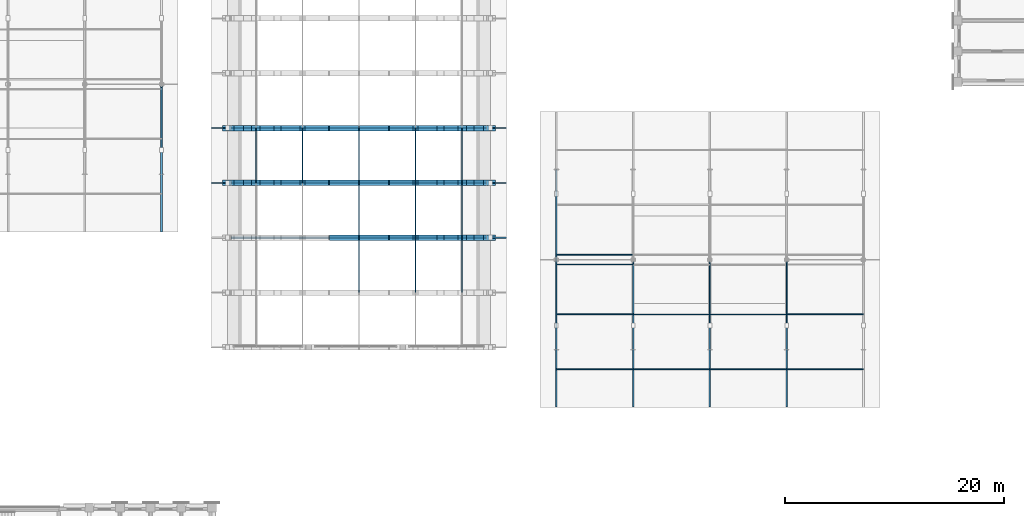
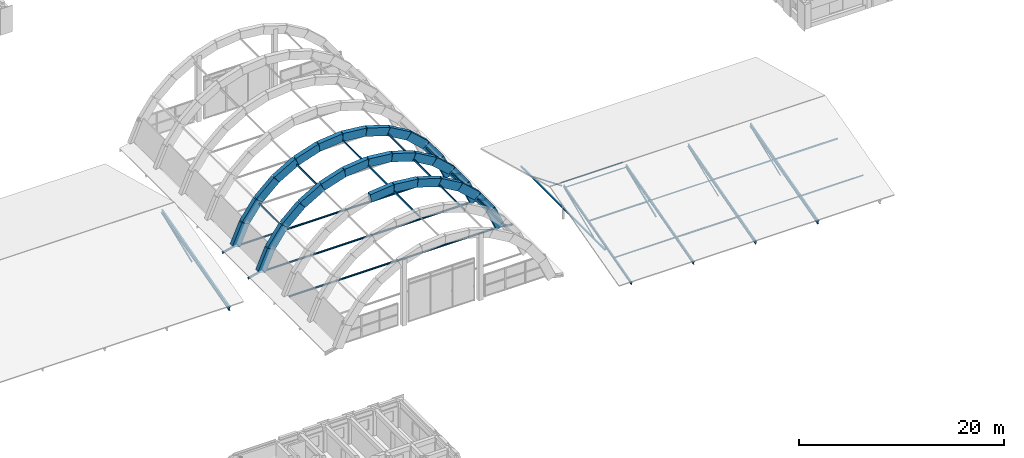
# One storey, part 15 of 76: 41 beams, 31 members.
"""IFC4 building model written with IfcOpenShell, lengths in metres."""

from ifc_helpers import new_model, si_unit, direction, frame, origin, origin_2d, place, context, subcontext, project, spatial, rectangle, hollow_rectangle, hollow_circle, i_section, extrude, material, material_profile, profile_set, type_object, element, save


model = new_model("IFC4")

# Units and contexts
model_context = context("Model", 3, precision=1e-05, world=origin(), true_north=direction((0.0, 1.0)))
body_context = subcontext(model_context, "Body", "Model", "MODEL_VIEW")
ifc_project = project(units=[si_unit("LENGTHUNIT", "METRE"), si_unit("AREAUNIT", "SQUARE_METRE"), si_unit("VOLUMEUNIT", "CUBIC_METRE"), si_unit("PLANEANGLEUNIT", "RADIAN"), si_unit("MASSUNIT", "GRAM", prefix="KILO")], contexts=[model_context])

# Site, building, storey
site_placement = place(None, origin())
site = spatial("IfcSite", under=ifc_project, at=site_placement, CompositionType="ELEMENT")
building_placement = place(site_placement, origin())
building = spatial("IfcBuilding", under=site, at=building_placement, Name="Kiranvali Square Residences", CompositionType="ELEMENT")
storey_placement = place(building_placement, frame((0.0, 0.0, 8.699951171875)))
storey = spatial("IfcBuildingStorey", under=building, at=storey_placement, Name="L02", CompositionType="ELEMENT", Elevation=8.699951171875)

# Members
ifc_material_1 = material(Name="Structural steel E350", Category="steel")
ifc_material_profile_1 = material_profile(ifc_material_1, hollow_circle(Radius=0.05712890625, WallThickness=0.00537109375, at=origin_2d()), Name="CHS 114.3x5.4")
ifc_profile_set_1 = profile_set([ifc_material_profile_1], Name="Structural steel E350")
member_type_1 = type_object("IfcMemberType", Name="MEM-CHS114", PredefinedType="BRACE", material=ifc_profile_set_1)
member_1_placement = place(storey_placement, frame((116.0, 46.0, 1.244140625), z_axis=(0.0, 0.92918908644, 0.369604709982), x_axis=(-1.0, 0.0, 0.0)))
element("IfcMember", 1, at=member_1_placement, inside=storey, type_object=member_type_1, Name="Southeast Square Retail Pavilion roof truss diagonal brace 3A", PredefinedType="BRACE", context=body_context, shape_type="SweptSolid", body=[
    extrude(hollow_circle(Radius=0.05712890625, WallThickness=0.00537109375, at=origin_2d()), origin(), (0.0, 0.0, 1.0), 6.177490234375),
])
ifc_material_profile_2 = material_profile(ifc_material_1, hollow_circle(Radius=0.109619140625, WallThickness=0.012451171875, at=origin_2d()), Name="CHS 219.1x12.5")
ifc_profile_set_2 = profile_set([ifc_material_profile_2], Name="Structural steel E350")
member_type_2 = type_object("IfcMemberType", Name="MEM-CHS219-TIE", PredefinedType="USERDEFINED", material=ifc_profile_set_2)
for number, where, z_axis, x_axis, name in (
    (2, (72.35009765625, 54.0, -0.25), (1.0, 0.0, 0.0), (0.0, 1.0, 0.0), "Exposed Vault Arch Tie Rod TR-3"),
    (3, (72.35009765625, 59.0, -0.25), (1.0, 0.0, 0.0), (0.0, 1.0, 0.0), "Exposed Vault Arch Tie Rod TR-4"),
    (4, (72.35009765625, 64.0, -0.25), (1.0, 0.0, 0.0), (0.0, 1.0, 0.0), "Exposed Vault Arch Tie Rod TR-5"),
):
    element("IfcMember", number, at=place(storey_placement, frame(where, z_axis=z_axis, x_axis=x_axis)), inside=storey, type_object=member_type_2, Name=name, ObjectType="TIE ROD", PredefinedType="USERDEFINED", context=body_context, shape_type="SweptSolid", body=[
        extrude(hollow_circle(Radius=0.109619140625, WallThickness=0.012451171875, at=origin_2d()), origin(), (0.0, 0.0, 1.0), 23.2998046875),
    ])
ifc_material_profile_3 = material_profile(ifc_material_1, i_section(OverallWidth=0.074951171875, OverallDepth=0.14990234375, WebThickness=0.0048828125, FlangeThickness=0.008056640625, at=origin_2d()), Name="ISMB 150")
ifc_profile_set_3 = profile_set([ifc_material_profile_3], Name="Structural steel E350")
member_type_3 = type_object("IfcMemberType", Name="MEM-ISMB150-P", PredefinedType="PURLIN", material=ifc_profile_set_3)
member_2_placement = place(storey_placement, frame((102.0, 42.0, 1.2529296875), z_axis=(1.0, 0.0, 0.0), x_axis=(0.0, 1.0, 0.0)))
element("IfcMember", 5, at=member_2_placement, inside=storey, type_object=member_type_3, Name="Southeast Square Retail Pavilion roof purlin 1.1", PredefinedType="PURLIN", context=body_context, shape_type="SweptSolid", body=[
    extrude(i_section(OverallWidth=0.074951171875, OverallDepth=0.14990234375, WebThickness=0.0048828125, FlangeThickness=0.008056640625, at=origin_2d()), origin(), (0.0, 0.0, 1.0), 7.0),
])
ifc_material_profile_4 = material_profile(ifc_material_1, i_section(OverallWidth=0.0849609375, OverallDepth=0.175048828125, WebThickness=0.005859375, FlangeThickness=0.009033203125, at=origin_2d()), Name="ISMB 175")
ifc_profile_set_4 = profile_set([ifc_material_profile_4], Name="Structural steel E350")
member_type_4 = type_object("IfcMemberType", Name="MEM-ISMB175-P", PredefinedType="PURLIN", material=ifc_profile_set_4)
for number, where, z_axis, x_axis, name in (
    (6, (109.0, 42.0, 1.240478515625), (1.0, 0.0, 0.0), (0.0, 1.0, 0.0), "Southeast Square Retail Pavilion roof purlin 1.2"),
    (7, (102.0, 47.0, 2.580078125), (1.0, 0.0, 0.0), (0.0, 1.0, 0.0), "Southeast Square Retail Pavilion roof purlin 2.1"),
):
    element("IfcMember", number, at=place(storey_placement, frame(where, z_axis=z_axis, x_axis=x_axis)), inside=storey, type_object=member_type_4, Name=name, PredefinedType="PURLIN", context=body_context, shape_type="SweptSolid", body=[
        extrude(i_section(OverallWidth=0.0849609375, OverallDepth=0.175048828125, WebThickness=0.005859375, FlangeThickness=0.009033203125, at=origin_2d()), origin(), (0.0, 0.0, 1.0), 7.0),
    ])
ifc_material_profile_5 = material_profile(ifc_material_1, hollow_rectangle(XDim=0.06103515625, YDim=0.1220703125, WallThickness=0.00439453125, at=origin_2d()), Name="RHS 122x61x4.5")
ifc_profile_set_5 = profile_set([ifc_material_profile_5], Name="Structural steel E350")
member_type_5 = type_object("IfcMemberType", Name="MEM-RHS122", PredefinedType="PURLIN", material=ifc_profile_set_5)
for number, where, z_axis, x_axis, name in (
    (8, (116.0, 42.0, 1.266845703125), (1.0, 0.0, 0.0), (0.0, 1.0, 0.0), "Southeast Square Retail Pavilion roof purlin 1.3"),
    (9, (109.0, 47.0, 2.606689453125), (1.0, 0.0, 0.0), (0.0, 1.0, 0.0), "Southeast Square Retail Pavilion roof purlin 2.2"),
    (10, (102.0, 51.550048828125, 3.82568359375), (1.0, 0.0, 0.0), (0.0, 1.0, 0.0), "Southeast Square Retail Pavilion roof purlin 3.1"),
):
    element("IfcMember", number, at=place(storey_placement, frame(where, z_axis=z_axis, x_axis=x_axis)), inside=storey, type_object=member_type_5, Name=name, PredefinedType="PURLIN", context=body_context, shape_type="SweptSolid", body=[
        extrude(hollow_rectangle(XDim=0.06103515625, YDim=0.1220703125, WallThickness=0.00439453125, at=origin_2d()), origin(), (0.0, 0.0, 1.0), 7.0),
    ])
ifc_material_profile_6 = material_profile(ifc_material_1, hollow_rectangle(XDim=0.08203125, YDim=0.14501953125, WallThickness=0.00537109375, at=origin_2d()), Name="RHS 145x82x5.4")
ifc_profile_set_6 = profile_set([ifc_material_profile_6], Name="Structural steel E350")
member_type_6 = type_object("IfcMemberType", Name="MEM-RHS145", PredefinedType="PURLIN", material=ifc_profile_set_6)
for number, where, z_axis, x_axis, name in (
    (11, (123.0, 42.0, 1.25537109375), (1.0, 0.0, 0.0), (0.0, 1.0, 0.0), "Southeast Square Retail Pavilion roof purlin 1.4"),
    (12, (116.0, 47.0, 2.59521484375), (1.0, 0.0, 0.0), (0.0, 1.0, 0.0), "Southeast Square Retail Pavilion roof purlin 2.3"),
    (13, (102.0, 52.449951171875, 3.814208984375), (1.0, 0.0, 0.0), (0.0, 1.0, 0.0), "Southeast Square Retail Pavilion roof purlin 4.1"),
):
    element("IfcMember", number, at=place(storey_placement, frame(where, z_axis=z_axis, x_axis=x_axis)), inside=storey, type_object=member_type_6, Name=name, PredefinedType="PURLIN", context=body_context, shape_type="SweptSolid", body=[
        extrude(hollow_rectangle(XDim=0.08203125, YDim=0.14501953125, WallThickness=0.00537109375, at=origin_2d()), origin(), (0.0, 0.0, 1.0), 7.0),
    ])
ifc_material_profile_7 = material_profile(ifc_material_1, hollow_rectangle(XDim=0.092041015625, YDim=0.172119140625, WallThickness=0.00537109375, at=origin_2d()), Name="RHS 172x92x5.4")
ifc_profile_set_7 = profile_set([ifc_material_profile_7], Name="Structural steel E350")
member_type_7 = type_object("IfcMemberType", Name="MEM-RHS172", PredefinedType="PURLIN", material=ifc_profile_set_7)
member_3_placement = place(storey_placement, frame((123.0, 47.0, 2.58154296875), z_axis=(1.0, 0.0, 0.0), x_axis=(0.0, 1.0, 0.0)))
element("IfcMember", 14, at=member_3_placement, inside=storey, type_object=member_type_7, Name="Southeast Square Retail Pavilion roof purlin 2.4", PredefinedType="PURLIN", context=body_context, shape_type="SweptSolid", body=[
    extrude(hollow_rectangle(XDim=0.092041015625, YDim=0.172119140625, WallThickness=0.00537109375, at=origin_2d()), origin(), (0.0, 0.0, 1.0), 7.0),
])
ifc_material_profile_8 = material_profile(ifc_material_1, hollow_rectangle(XDim=0.10009765625, YDim=0.199951171875, WallThickness=0.006103515625, at=origin_2d()), Name="RHS 200x100x6.0")
ifc_profile_set_8 = profile_set([ifc_material_profile_8], Name="Structural steel E350")
member_type_8 = type_object("IfcMemberType", Name="MEM-RHS200", PredefinedType="PURLIN", material=ifc_profile_set_8)
for number, where, z_axis, x_axis, name in (
    (15, (74.600341796875, 59.0, 4.081787109375), (0.0, 1.0, 0.0), (-1.0, 0.0, 0.0), "Community Hall barrel-vault longitudinal purlin N2.4"),
    (16, (78.8486328125, 59.0, 7.197021484375), (0.0, 1.0, 0.0), (-1.0, 0.0, 0.0), "Community Hall barrel-vault longitudinal purlin N4.4"),
    (17, (84.0, 49.0, 8.300048828125), (0.0, 1.0, 0.0), (-1.0, 0.0, 0.0), "Community Hall barrel-vault longitudinal purlin N6.2"),
    (18, (84.0, 54.0, 8.300048828125), (0.0, 1.0, 0.0), (-1.0, 0.0, 0.0), "Community Hall barrel-vault longitudinal purlin N6.3"),
    (19, (84.0, 59.0, 8.300048828125), (0.0, 1.0, 0.0), (-1.0, 0.0, 0.0), "Community Hall barrel-vault longitudinal purlin N6.4"),
    (20, (89.1513671875, 49.0, 7.197021484375), (0.0, 1.0, 0.0), (-1.0, 0.0, 0.0), "Community Hall barrel-vault longitudinal purlin N8.2"),
    (21, (89.1513671875, 54.0, 7.197021484375), (0.0, 1.0, 0.0), (-1.0, 0.0, 0.0), "Community Hall barrel-vault longitudinal purlin N8.3"),
    (22, (89.1513671875, 59.0, 7.197021484375), (0.0, 1.0, 0.0), (-1.0, 0.0, 0.0), "Community Hall barrel-vault longitudinal purlin N8.4"),
    (23, (93.399658203125, 49.0, 4.081787109375), (0.0, 1.0, 0.0), (-1.0, 0.0, 0.0), "Community Hall barrel-vault longitudinal purlin N10.2"),
    (24, (93.399658203125, 54.0, 4.081787109375), (0.0, 1.0, 0.0), (-1.0, 0.0, 0.0), "Community Hall barrel-vault longitudinal purlin N10.3"),
    (25, (93.399658203125, 59.0, 4.081787109375), (0.0, 1.0, 0.0), (-1.0, 0.0, 0.0), "Community Hall barrel-vault longitudinal purlin N10.4"),
):
    element("IfcMember", number, at=place(storey_placement, frame(where, z_axis=z_axis, x_axis=x_axis)), inside=storey, type_object=member_type_8, Name=name, PredefinedType="PURLIN", context=body_context, shape_type="SweptSolid", body=[
        extrude(hollow_rectangle(XDim=0.10009765625, YDim=0.199951171875, WallThickness=0.006103515625, at=origin_2d()), origin(), (0.0, 0.0, 1.0), 5.0),
    ])
ifc_material_profile_9 = material_profile(ifc_material_1, hollow_rectangle(XDim=0.113525390625, YDim=0.113525390625, WallThickness=0.00537109375, at=origin_2d()), Name="SHS 113.5x113.5x5.4")
ifc_profile_set_9 = profile_set([ifc_material_profile_9], Name="Structural steel E350")
member_type_9 = type_object("IfcMemberType", Name="MEM-SHS113", PredefinedType="BRACE", material=ifc_profile_set_9)
member_4_placement = place(storey_placement, frame((102.0, 58.0, 1.208984375), z_axis=(0.0, -0.924401000821, 0.381422062395), x_axis=(1.0, 0.0, 0.0)))
element("IfcMember", 26, at=member_4_placement, inside=storey, type_object=member_type_9, Name="Southeast Square Retail Pavilion roof truss diagonal brace 1B", PredefinedType="BRACE", context=body_context, shape_type="SweptSolid", body=[
    extrude(hollow_rectangle(XDim=0.113525390625, YDim=0.113525390625, WallThickness=0.00537109375, at=origin_2d()), origin(), (0.0, 0.0, 1.0), 6.20947265625),
])
ifc_material_profile_10 = material_profile(ifc_material_1, hollow_rectangle(XDim=0.132080078125, YDim=0.132080078125, WallThickness=0.00537109375, at=origin_2d()), Name="SHS 132x132x5.4")
ifc_profile_set_10 = profile_set([ifc_material_profile_10], Name="Structural steel E350")
member_type_10 = type_object("IfcMemberType", Name="MEM-SHS132", PredefinedType="BRACE", material=ifc_profile_set_10)
member_5_placement = place(storey_placement, frame((66.0, 62.0, 1.216552734375), z_axis=(0.0, 0.930434154786, 0.366459115874), x_axis=(-1.0, 0.0, 0.0)))
element("IfcMember", 27, at=member_5_placement, inside=storey, type_object=member_type_10, Name="Nursery Pavilion roof truss diagonal brace 5A", PredefinedType="BRACE", context=body_context, shape_type="SweptSolid", body=[
    extrude(hollow_rectangle(XDim=0.132080078125, YDim=0.132080078125, WallThickness=0.00537109375, at=origin_2d()), origin(), (0.0, 0.0, 1.0), 6.169189453125),
])
member_6_placement = place(storey_placement, frame((109.0, 46.0, 1.22412109375), z_axis=(0.0, 0.926677314824, 0.375857890952), x_axis=(-1.0, 0.0, 0.0)))
element("IfcMember", 28, at=member_6_placement, inside=storey, type_object=member_type_10, Name="Southeast Square Retail Pavilion roof truss diagonal brace 2A", PredefinedType="BRACE", context=body_context, shape_type="SweptSolid", body=[
    extrude(hollow_rectangle(XDim=0.132080078125, YDim=0.132080078125, WallThickness=0.00537109375, at=origin_2d()), origin(), (0.0, 0.0, 1.0), 6.194091796875),
])
ifc_material_profile_11 = material_profile(ifc_material_1, hollow_rectangle(XDim=0.14990234375, YDim=0.14990234375, WallThickness=0.006103515625, at=origin_2d()), Name="SHS 150x150x6.0")
ifc_profile_set_11 = profile_set([ifc_material_profile_11], Name="Structural steel E350")
member_type_11 = type_object("IfcMemberType", Name="MEM-SHS150", PredefinedType="CHORD", material=ifc_profile_set_11)
member_7_placement = place(storey_placement, frame((102.0, 43.800048828125, 1.10009765625), z_axis=(0.0, 1.0, 0.0), x_axis=(-1.0, 0.0, 0.0)))
element("IfcMember", 29, at=member_7_placement, inside=storey, type_object=member_type_11, Name="Southeast Square Retail Pavilion roof truss collar chord 1", PredefinedType="CHORD", context=body_context, shape_type="SweptSolid", body=[
    extrude(hollow_rectangle(XDim=0.14990234375, YDim=0.14990234375, WallThickness=0.006103515625, at=origin_2d()), origin(), (0.0, 0.0, 1.0), 16.39990234375),
])
ifc_material_profile_12 = material_profile(ifc_material_1, hollow_rectangle(XDim=0.091552734375, YDim=0.091552734375, WallThickness=0.00439453125, at=origin_2d()), Name="SHS 91.5x91.5x4.5")
ifc_profile_set_12 = profile_set([ifc_material_profile_12], Name="Structural steel E350")
member_type_12 = type_object("IfcMemberType", Name="MEM-SHS91", PredefinedType="BRACE", material=ifc_profile_set_12)
member_8_placement = place(storey_placement, frame((102.0, 46.0, 1.208984375), z_axis=(0.0, 0.924401000821, 0.381422062395), x_axis=(-1.0, 0.0, 0.0)))
element("IfcMember", 30, at=member_8_placement, inside=storey, type_object=member_type_12, Name="Southeast Square Retail Pavilion roof truss diagonal brace 1A", PredefinedType="BRACE", context=body_context, shape_type="SweptSolid", body=[
    extrude(hollow_rectangle(XDim=0.091552734375, YDim=0.091552734375, WallThickness=0.00439453125, at=origin_2d()), origin(), (0.0, 0.0, 1.0), 6.20947265625),
])
member_9_placement = place(storey_placement, frame((123.0, 46.0, 1.23095703125), z_axis=(0.0, 0.929839599098, 0.367965106972), x_axis=(-1.0, 0.0, 0.0)))
element("IfcMember", 31, at=member_9_placement, inside=storey, type_object=member_type_12, Name="Southeast Square Retail Pavilion roof truss diagonal brace 4A", PredefinedType="BRACE", context=body_context, shape_type="SweptSolid", body=[
    extrude(hollow_rectangle(XDim=0.091552734375, YDim=0.091552734375, WallThickness=0.00439453125, at=origin_2d()), origin(), (0.0, 0.0, 1.0), 6.173095703125),
])

# Beams
ifc_material_profile_13 = material_profile(ifc_material_1, i_section(OverallWidth=0.110107421875, OverallDepth=0.22509765625, WebThickness=0.006591796875, FlangeThickness=0.01171875, at=origin_2d()), Name="ISMB 225")
ifc_profile_set_13 = profile_set([ifc_material_profile_13], Name="Structural steel E350")
beam_type_1 = type_object("IfcBeamType", Name="SBM-ISMB225", PredefinedType="JOIST", material=ifc_profile_set_13)
for number, where, z_axis, x_axis, name in (
    (32, (72.0, 59.0, -0.179931640625), (-0.973578169392, 0.0, -0.2283539973), (0.0, -1.0, 0.0), "Community Hall Ottoman eave bracket W4"),
    (33, (72.0, 64.0, -0.179931640625), (-0.973578169392, 0.0, -0.2283539973), (0.0, -1.0, 0.0), "Community Hall Ottoman eave bracket W5"),
    (34, (96.0, 54.0, -0.179931640625), (0.973578169392, 0.0, -0.2283539973), (0.0, 1.0, 0.0), "Community Hall Ottoman eave bracket E3"),
    (35, (96.0, 59.0, -0.179931640625), (0.973578169392, 0.0, -0.2283539973), (0.0, 1.0, 0.0), "Community Hall Ottoman eave bracket E4"),
    (36, (96.0, 64.0, -0.179931640625), (0.973578169392, 0.0, -0.2283539973), (0.0, 1.0, 0.0), "Community Hall Ottoman eave bracket E5"),
):
    element("IfcBeam", number, at=place(storey_placement, frame(where, z_axis=z_axis, x_axis=x_axis)), inside=storey, type_object=beam_type_1, Name=name, PredefinedType="JOIST", context=body_context, shape_type="SweptSolid", body=[
        extrude(i_section(OverallWidth=0.110107421875, OverallDepth=0.22509765625, WebThickness=0.006591796875, FlangeThickness=0.01171875, at=origin_2d()), origin(), (0.0, 0.0, 1.0), 1.4892578125),
    ])
ifc_material_profile_14 = material_profile(ifc_material_1, i_section(OverallWidth=0.139892578125, OverallDepth=0.300048828125, WebThickness=0.0078125, FlangeThickness=0.01318359375, at=origin_2d()), Name="ISMB 300")
ifc_profile_set_14 = profile_set([ifc_material_profile_14], Name="Structural steel E350")
beam_type_2 = type_object("IfcBeamType", Name="SBM-ISMB300", PredefinedType="BEAM", material=ifc_profile_set_14)
beam_1_placement = place(storey_placement, frame((102.0, 38.60009765625, 0.199951171875), z_axis=(0.0, 0.964943860611, 0.262456369459), x_axis=(-1.0, 0.0, 0.0)))
element("IfcBeam", 37, at=beam_1_placement, inside=storey, type_object=beam_type_2, Name="Southeast Square Retail Pavilion steel roof rafter S-1", PredefinedType="BEAM", context=body_context, shape_type="SweptSolid", body=[
    extrude(i_section(OverallWidth=0.139892578125, OverallDepth=0.300048828125, WebThickness=0.0078125, FlangeThickness=0.01318359375, at=origin_2d()), origin(), (0.0, 0.0, 1.0), 13.782958984375),
])
ifc_material_profile_15 = material_profile(ifc_material_1, i_section(OverallWidth=0.139892578125, OverallDepth=0.35009765625, WebThickness=0.008056640625, FlangeThickness=0.01416015625, at=origin_2d()), Name="ISMB 350")
ifc_profile_set_15 = profile_set([ifc_material_profile_15], Name="Structural steel E350")
beam_type_3 = type_object("IfcBeamType", Name="SBM-ISMB350", PredefinedType="BEAM", material=ifc_profile_set_15)
beam_2_placement = place(storey_placement, frame((109.0, 38.60009765625, 0.175048828125), z_axis=(0.0, 0.964948346457, 0.262439876296), x_axis=(-1.0, 0.0, 0.0)))
element("IfcBeam", 38, at=beam_2_placement, inside=storey, type_object=beam_type_3, Name="Southeast Square Retail Pavilion steel roof rafter S-2", PredefinedType="BEAM", context=body_context, shape_type="SweptSolid", body=[
    extrude(i_section(OverallWidth=0.139892578125, OverallDepth=0.35009765625, WebThickness=0.008056640625, FlangeThickness=0.01416015625, at=origin_2d()), origin(), (0.0, 0.0, 1.0), 13.782958984375),
])
ifc_material_profile_16 = material_profile(ifc_material_1, i_section(OverallWidth=0.139892578125, OverallDepth=0.39990234375, WebThickness=0.0087890625, FlangeThickness=0.01611328125, at=origin_2d()), Name="ISMB 400")
ifc_profile_set_16 = profile_set([ifc_material_profile_16], Name="Structural steel E350")
beam_type_4 = type_object("IfcBeamType", Name="SBM-ISMB400", PredefinedType="BEAM", material=ifc_profile_set_16)
beam_3_placement = place(storey_placement, frame((116.0, 38.60009765625, 0.150146484375), z_axis=(0.0, 0.964948346457, 0.262439876296), x_axis=(-1.0, 0.0, 0.0)))
element("IfcBeam", 39, at=beam_3_placement, inside=storey, type_object=beam_type_4, Name="Southeast Square Retail Pavilion steel roof rafter S-3", PredefinedType="BEAM", context=body_context, shape_type="SweptSolid", body=[
    extrude(i_section(OverallWidth=0.139892578125, OverallDepth=0.39990234375, WebThickness=0.0087890625, FlangeThickness=0.01611328125, at=origin_2d()), origin(), (0.0, 0.0, 1.0), 13.782958984375),
])
ifc_material_profile_17 = material_profile(ifc_material_1, i_section(OverallWidth=0.14990234375, OverallDepth=0.449951171875, WebThickness=0.009521484375, FlangeThickness=0.017333984375, at=origin_2d()), Name="ISMB 450")
ifc_profile_set_17 = profile_set([ifc_material_profile_17], Name="Structural steel E350")
beam_type_5 = type_object("IfcBeamType", Name="SBM-ISMB450", PredefinedType="BEAM", material=ifc_profile_set_17)
beam_4_placement = place(storey_placement, frame((123.0, 38.60009765625, 0.125), z_axis=(0.0, 0.964943860611, 0.262456369459), x_axis=(-1.0, 0.0, 0.0)))
element("IfcBeam", 40, at=beam_4_placement, inside=storey, type_object=beam_type_5, Name="Southeast Square Retail Pavilion steel roof rafter S-4", PredefinedType="BEAM", context=body_context, shape_type="SweptSolid", body=[
    extrude(i_section(OverallWidth=0.14990234375, OverallDepth=0.449951171875, WebThickness=0.009521484375, FlangeThickness=0.017333984375, at=origin_2d()), origin(), (0.0, 0.0, 1.0), 13.782958984375),
])
ifc_material_profile_18 = material_profile(ifc_material_1, i_section(OverallWidth=0.179931640625, OverallDepth=0.5, WebThickness=0.01025390625, FlangeThickness=0.01708984375, at=origin_2d()), Name="ISMB 500")
ifc_profile_set_18 = profile_set([ifc_material_profile_18], Name="Structural steel E350")
beam_type_6 = type_object("IfcBeamType", Name="SBM-ISMB500", PredefinedType="BEAM", material=ifc_profile_set_18)
beam_5_placement = place(storey_placement, frame((66.0, 54.60009765625, 0.10009765625), z_axis=(0.0, 0.964948346457, 0.262439876296), x_axis=(-1.0, 0.0, 0.0)))
element("IfcBeam", 41, at=beam_5_placement, inside=storey, type_object=beam_type_6, Name="Nursery Pavilion steel roof rafter S-5", PredefinedType="BEAM", context=body_context, shape_type="SweptSolid", body=[
    extrude(i_section(OverallWidth=0.179931640625, OverallDepth=0.5, WebThickness=0.01025390625, FlangeThickness=0.01708984375, at=origin_2d()), origin(), (0.0, 0.0, 1.0), 13.782958984375),
])
ifc_material_2 = material(Name="Concrete M45 (45 MPa)", Category="concrete")
ifc_material_profile_19 = material_profile(ifc_material_2, rectangle(XDim=0.5, YDim=0.949951171875, at=origin_2d()), Name="RC 500x950")
ifc_profile_set_19 = profile_set([ifc_material_profile_19], Name="Concrete M45 (45 MPa)")
beam_type_7 = type_object("IfcBeamType", Name="VR-M45-500x950", PredefinedType="USERDEFINED", material=ifc_profile_set_19)
for number, where, z_axis, x_axis, name in (
    (42, (81.365966796875, 54.0, 8.361328125), (0.99444467995, 0.0, 0.10526052688), (0.0, 1.0, 0.0), "Exposed Vault Arch Rib VR-1 bay 3 seg 6"),
    (43, (84.0, 54.0, 8.64013671875), (0.99444467995, 0.0, -0.10526052688), (0.0, 1.0, 0.0), "Exposed Vault Arch Rib VR-1 bay 3 seg 7"),
):
    element("IfcBeam", number, at=place(storey_placement, frame(where, z_axis=z_axis, x_axis=x_axis)), inside=storey, type_object=beam_type_7, Name=name, ObjectType="ARCH RIB", PredefinedType="USERDEFINED", context=body_context, shape_type="SweptSolid", body=[
        extrude(rectangle(XDim=0.5, YDim=0.949951171875, at=origin_2d()), origin(), (0.0, 0.0, 1.0), 2.648681640625),
    ])
beam_6_placement = place(storey_placement, frame((86.634033203125, 54.0, 8.361328125), z_axis=(0.950356499345, 0.0, -0.311163179302), x_axis=(0.0, 1.0, 0.0)))
element("IfcBeam", 44, at=beam_6_placement, inside=storey, type_object=beam_type_7, Name="Exposed Vault Arch Rib VR-1 bay 3 seg 8", ObjectType="ARCH RIB", PredefinedType="USERDEFINED", context=body_context, shape_type="SweptSolid", body=[
    extrude(rectangle(XDim=0.5, YDim=0.949951171875, at=origin_2d()), origin(), (0.0, 0.0, 1.0), 2.64892578125),
])
beam_7_placement = place(storey_placement, frame((89.1513671875, 54.0, 7.537109375), z_axis=(0.864193138267, 0.0, -0.503160232701), x_axis=(0.0, 1.0, 0.0)))
element("IfcBeam", 45, at=beam_7_placement, inside=storey, type_object=beam_type_7, Name="Exposed Vault Arch Rib VR-1 bay 3 seg 9", ObjectType="ARCH RIB", PredefinedType="USERDEFINED", context=body_context, shape_type="SweptSolid", body=[
    extrude(rectangle(XDim=0.5, YDim=0.949951171875, at=origin_2d()), origin(), (0.0, 0.0, 1.0), 2.648681640625),
])
beam_8_placement = place(storey_placement, frame((91.4404296875, 54.0, 6.204345703125), z_axis=(0.739639727278, 0.0, -0.673003026615), x_axis=(0.0, 1.0, 0.0)))
element("IfcBeam", 46, at=beam_8_placement, inside=storey, type_object=beam_type_7, Name="Exposed Vault Arch Rib VR-1 bay 3 seg 10", ObjectType="ARCH RIB", PredefinedType="USERDEFINED", context=body_context, shape_type="SweptSolid", body=[
    extrude(rectangle(XDim=0.5, YDim=0.949951171875, at=origin_2d()), origin(), (0.0, 0.0, 1.0), 2.64892578125),
])
for number, where, z_axis, x_axis, name in (
    (47, (93.399658203125, 54.0, 4.421630859375), (0.582440788805, 0.0, -0.812873131267), (0.0, 1.0, 0.0), "Exposed Vault Arch Rib VR-1 bay 3 seg 11"),
    (48, (94.9423828125, 54.0, 2.2685546875), (0.399285511826, 0.0, -0.916826635764), (0.0, 1.0, 0.0), "Exposed Vault Arch Rib VR-1 bay 3 seg 12"),
    (49, (72.0, 59.0, -0.159912109375), (0.399285511826, 0.0, 0.916826635764), (0.0, 1.0, 0.0), "Exposed Vault Arch Rib VR-1 bay 4 seg 1"),
    (50, (73.0576171875, 59.0, 2.2685546875), (0.582440788805, 0.0, 0.812873131267), (0.0, 1.0, 0.0), "Exposed Vault Arch Rib VR-1 bay 4 seg 2"),
):
    element("IfcBeam", number, at=place(storey_placement, frame(where, z_axis=z_axis, x_axis=x_axis)), inside=storey, type_object=beam_type_7, Name=name, ObjectType="ARCH RIB", PredefinedType="USERDEFINED", context=body_context, shape_type="SweptSolid", body=[
        extrude(rectangle(XDim=0.5, YDim=0.949951171875, at=origin_2d()), origin(), (0.0, 0.0, 1.0), 2.648681640625),
    ])
beam_9_placement = place(storey_placement, frame((74.600341796875, 59.0, 4.421630859375), z_axis=(0.739639727278, 0.0, 0.673003026615), x_axis=(0.0, 1.0, 0.0)))
element("IfcBeam", 51, at=beam_9_placement, inside=storey, type_object=beam_type_7, Name="Exposed Vault Arch Rib VR-1 bay 4 seg 3", ObjectType="ARCH RIB", PredefinedType="USERDEFINED", context=body_context, shape_type="SweptSolid", body=[
    extrude(rectangle(XDim=0.5, YDim=0.949951171875, at=origin_2d()), origin(), (0.0, 0.0, 1.0), 2.64892578125),
])
beam_10_placement = place(storey_placement, frame((76.5595703125, 59.0, 6.204345703125), z_axis=(0.864193138267, 0.0, 0.503160232701), x_axis=(0.0, 1.0, 0.0)))
element("IfcBeam", 52, at=beam_10_placement, inside=storey, type_object=beam_type_7, Name="Exposed Vault Arch Rib VR-1 bay 4 seg 4", ObjectType="ARCH RIB", PredefinedType="USERDEFINED", context=body_context, shape_type="SweptSolid", body=[
    extrude(rectangle(XDim=0.5, YDim=0.949951171875, at=origin_2d()), origin(), (0.0, 0.0, 1.0), 2.648681640625),
])
beam_11_placement = place(storey_placement, frame((78.8486328125, 59.0, 7.537109375), z_axis=(0.950356499345, 0.0, 0.311163179302), x_axis=(0.0, 1.0, 0.0)))
element("IfcBeam", 53, at=beam_11_placement, inside=storey, type_object=beam_type_7, Name="Exposed Vault Arch Rib VR-1 bay 4 seg 5", ObjectType="ARCH RIB", PredefinedType="USERDEFINED", context=body_context, shape_type="SweptSolid", body=[
    extrude(rectangle(XDim=0.5, YDim=0.949951171875, at=origin_2d()), origin(), (0.0, 0.0, 1.0), 2.64892578125),
])
for number, where, z_axis, x_axis, name in (
    (54, (81.365966796875, 59.0, 8.361328125), (0.99444467995, 0.0, 0.10526052688), (0.0, 1.0, 0.0), "Exposed Vault Arch Rib VR-1 bay 4 seg 6"),
    (55, (84.0, 59.0, 8.64013671875), (0.99444467995, 0.0, -0.10526052688), (0.0, 1.0, 0.0), "Exposed Vault Arch Rib VR-1 bay 4 seg 7"),
):
    element("IfcBeam", number, at=place(storey_placement, frame(where, z_axis=z_axis, x_axis=x_axis)), inside=storey, type_object=beam_type_7, Name=name, ObjectType="ARCH RIB", PredefinedType="USERDEFINED", context=body_context, shape_type="SweptSolid", body=[
        extrude(rectangle(XDim=0.5, YDim=0.949951171875, at=origin_2d()), origin(), (0.0, 0.0, 1.0), 2.648681640625),
    ])
beam_12_placement = place(storey_placement, frame((86.634033203125, 59.0, 8.361328125), z_axis=(0.950356499345, 0.0, -0.311163179302), x_axis=(0.0, 1.0, 0.0)))
element("IfcBeam", 56, at=beam_12_placement, inside=storey, type_object=beam_type_7, Name="Exposed Vault Arch Rib VR-1 bay 4 seg 8", ObjectType="ARCH RIB", PredefinedType="USERDEFINED", context=body_context, shape_type="SweptSolid", body=[
    extrude(rectangle(XDim=0.5, YDim=0.949951171875, at=origin_2d()), origin(), (0.0, 0.0, 1.0), 2.64892578125),
])
beam_13_placement = place(storey_placement, frame((89.1513671875, 59.0, 7.537109375), z_axis=(0.864193138267, 0.0, -0.503160232701), x_axis=(0.0, 1.0, 0.0)))
element("IfcBeam", 57, at=beam_13_placement, inside=storey, type_object=beam_type_7, Name="Exposed Vault Arch Rib VR-1 bay 4 seg 9", ObjectType="ARCH RIB", PredefinedType="USERDEFINED", context=body_context, shape_type="SweptSolid", body=[
    extrude(rectangle(XDim=0.5, YDim=0.949951171875, at=origin_2d()), origin(), (0.0, 0.0, 1.0), 2.648681640625),
])
beam_14_placement = place(storey_placement, frame((91.4404296875, 59.0, 6.204345703125), z_axis=(0.739639727278, 0.0, -0.673003026615), x_axis=(0.0, 1.0, 0.0)))
element("IfcBeam", 58, at=beam_14_placement, inside=storey, type_object=beam_type_7, Name="Exposed Vault Arch Rib VR-1 bay 4 seg 10", ObjectType="ARCH RIB", PredefinedType="USERDEFINED", context=body_context, shape_type="SweptSolid", body=[
    extrude(rectangle(XDim=0.5, YDim=0.949951171875, at=origin_2d()), origin(), (0.0, 0.0, 1.0), 2.64892578125),
])
for number, where, z_axis, x_axis, name in (
    (59, (93.399658203125, 59.0, 4.421630859375), (0.582440788805, 0.0, -0.812873131267), (0.0, 1.0, 0.0), "Exposed Vault Arch Rib VR-1 bay 4 seg 11"),
    (60, (94.9423828125, 59.0, 2.2685546875), (0.399285511826, 0.0, -0.916826635764), (0.0, 1.0, 0.0), "Exposed Vault Arch Rib VR-1 bay 4 seg 12"),
    (61, (72.0, 64.0, -0.159912109375), (0.399285511826, 0.0, 0.916826635764), (0.0, 1.0, 0.0), "Exposed Vault Arch Rib VR-1 bay 5 seg 1"),
    (62, (73.0576171875, 64.0, 2.2685546875), (0.582440788805, 0.0, 0.812873131267), (0.0, 1.0, 0.0), "Exposed Vault Arch Rib VR-1 bay 5 seg 2"),
):
    element("IfcBeam", number, at=place(storey_placement, frame(where, z_axis=z_axis, x_axis=x_axis)), inside=storey, type_object=beam_type_7, Name=name, ObjectType="ARCH RIB", PredefinedType="USERDEFINED", context=body_context, shape_type="SweptSolid", body=[
        extrude(rectangle(XDim=0.5, YDim=0.949951171875, at=origin_2d()), origin(), (0.0, 0.0, 1.0), 2.648681640625),
    ])
beam_15_placement = place(storey_placement, frame((74.600341796875, 64.0, 4.421630859375), z_axis=(0.739639727278, 0.0, 0.673003026615), x_axis=(0.0, 1.0, 0.0)))
element("IfcBeam", 63, at=beam_15_placement, inside=storey, type_object=beam_type_7, Name="Exposed Vault Arch Rib VR-1 bay 5 seg 3", ObjectType="ARCH RIB", PredefinedType="USERDEFINED", context=body_context, shape_type="SweptSolid", body=[
    extrude(rectangle(XDim=0.5, YDim=0.949951171875, at=origin_2d()), origin(), (0.0, 0.0, 1.0), 2.64892578125),
])
beam_16_placement = place(storey_placement, frame((76.5595703125, 64.0, 6.204345703125), z_axis=(0.864193138267, 0.0, 0.503160232701), x_axis=(0.0, 1.0, 0.0)))
element("IfcBeam", 64, at=beam_16_placement, inside=storey, type_object=beam_type_7, Name="Exposed Vault Arch Rib VR-1 bay 5 seg 4", ObjectType="ARCH RIB", PredefinedType="USERDEFINED", context=body_context, shape_type="SweptSolid", body=[
    extrude(rectangle(XDim=0.5, YDim=0.949951171875, at=origin_2d()), origin(), (0.0, 0.0, 1.0), 2.648681640625),
])
beam_17_placement = place(storey_placement, frame((78.8486328125, 64.0, 7.537109375), z_axis=(0.950356499345, 0.0, 0.311163179302), x_axis=(0.0, 1.0, 0.0)))
element("IfcBeam", 65, at=beam_17_placement, inside=storey, type_object=beam_type_7, Name="Exposed Vault Arch Rib VR-1 bay 5 seg 5", ObjectType="ARCH RIB", PredefinedType="USERDEFINED", context=body_context, shape_type="SweptSolid", body=[
    extrude(rectangle(XDim=0.5, YDim=0.949951171875, at=origin_2d()), origin(), (0.0, 0.0, 1.0), 2.64892578125),
])
for number, where, z_axis, x_axis, name in (
    (66, (81.365966796875, 64.0, 8.361328125), (0.99444467995, 0.0, 0.10526052688), (0.0, 1.0, 0.0), "Exposed Vault Arch Rib VR-1 bay 5 seg 6"),
    (67, (84.0, 64.0, 8.64013671875), (0.99444467995, 0.0, -0.10526052688), (0.0, 1.0, 0.0), "Exposed Vault Arch Rib VR-1 bay 5 seg 7"),
):
    element("IfcBeam", number, at=place(storey_placement, frame(where, z_axis=z_axis, x_axis=x_axis)), inside=storey, type_object=beam_type_7, Name=name, ObjectType="ARCH RIB", PredefinedType="USERDEFINED", context=body_context, shape_type="SweptSolid", body=[
        extrude(rectangle(XDim=0.5, YDim=0.949951171875, at=origin_2d()), origin(), (0.0, 0.0, 1.0), 2.648681640625),
    ])
beam_18_placement = place(storey_placement, frame((86.634033203125, 64.0, 8.361328125), z_axis=(0.950356499345, 0.0, -0.311163179302), x_axis=(0.0, 1.0, 0.0)))
element("IfcBeam", 68, at=beam_18_placement, inside=storey, type_object=beam_type_7, Name="Exposed Vault Arch Rib VR-1 bay 5 seg 8", ObjectType="ARCH RIB", PredefinedType="USERDEFINED", context=body_context, shape_type="SweptSolid", body=[
    extrude(rectangle(XDim=0.5, YDim=0.949951171875, at=origin_2d()), origin(), (0.0, 0.0, 1.0), 2.64892578125),
])
beam_19_placement = place(storey_placement, frame((89.1513671875, 64.0, 7.537109375), z_axis=(0.864193138267, 0.0, -0.503160232701), x_axis=(0.0, 1.0, 0.0)))
element("IfcBeam", 69, at=beam_19_placement, inside=storey, type_object=beam_type_7, Name="Exposed Vault Arch Rib VR-1 bay 5 seg 9", ObjectType="ARCH RIB", PredefinedType="USERDEFINED", context=body_context, shape_type="SweptSolid", body=[
    extrude(rectangle(XDim=0.5, YDim=0.949951171875, at=origin_2d()), origin(), (0.0, 0.0, 1.0), 2.648681640625),
])
beam_20_placement = place(storey_placement, frame((91.4404296875, 64.0, 6.204345703125), z_axis=(0.739639727278, 0.0, -0.673003026615), x_axis=(0.0, 1.0, 0.0)))
element("IfcBeam", 70, at=beam_20_placement, inside=storey, type_object=beam_type_7, Name="Exposed Vault Arch Rib VR-1 bay 5 seg 10", ObjectType="ARCH RIB", PredefinedType="USERDEFINED", context=body_context, shape_type="SweptSolid", body=[
    extrude(rectangle(XDim=0.5, YDim=0.949951171875, at=origin_2d()), origin(), (0.0, 0.0, 1.0), 2.64892578125),
])
for number, where, z_axis, x_axis, name in (
    (71, (93.399658203125, 64.0, 4.421630859375), (0.582440788805, 0.0, -0.812873131267), (0.0, 1.0, 0.0), "Exposed Vault Arch Rib VR-1 bay 5 seg 11"),
    (72, (94.9423828125, 64.0, 2.2685546875), (0.399285511826, 0.0, -0.916826635764), (0.0, 1.0, 0.0), "Exposed Vault Arch Rib VR-1 bay 5 seg 12"),
):
    element("IfcBeam", number, at=place(storey_placement, frame(where, z_axis=z_axis, x_axis=x_axis)), inside=storey, type_object=beam_type_7, Name=name, ObjectType="ARCH RIB", PredefinedType="USERDEFINED", context=body_context, shape_type="SweptSolid", body=[
        extrude(rectangle(XDim=0.5, YDim=0.949951171875, at=origin_2d()), origin(), (0.0, 0.0, 1.0), 2.648681640625),
    ])

save(model, "model.ifc")
